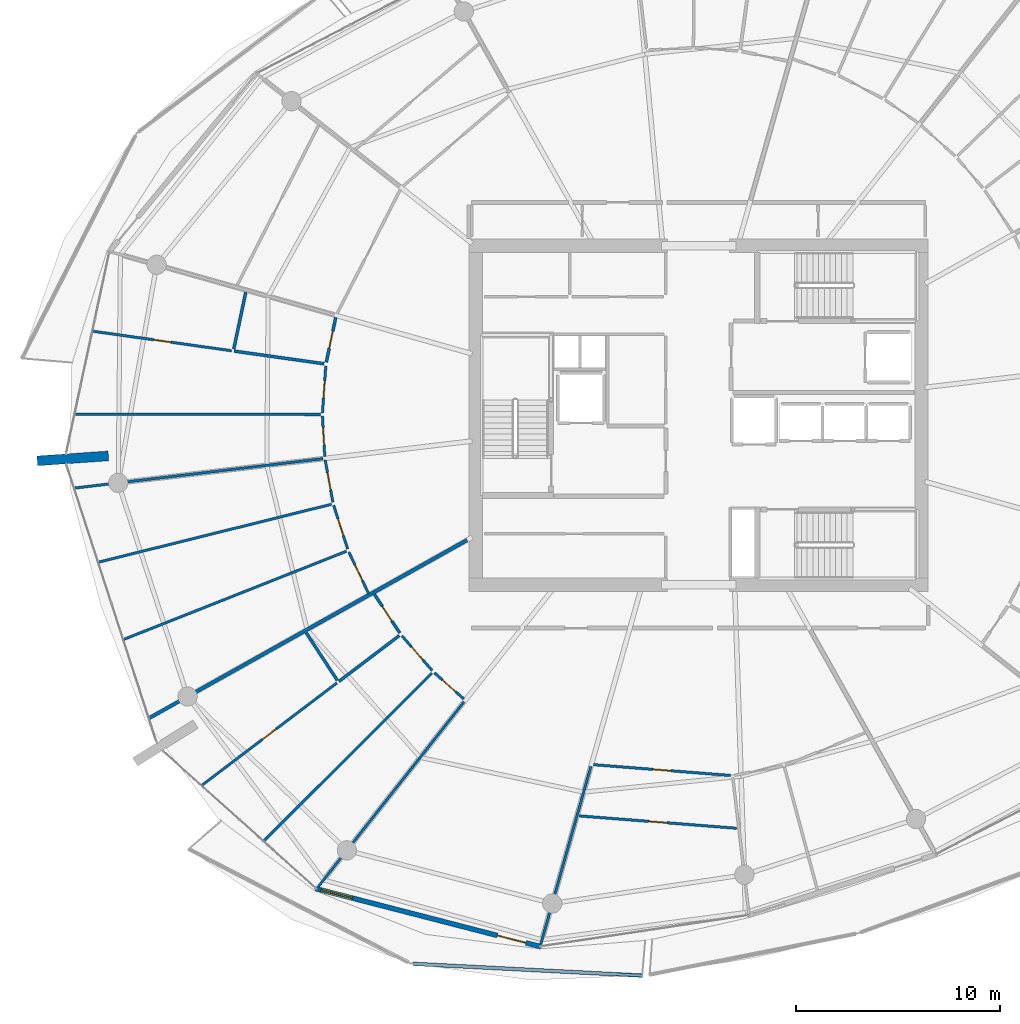
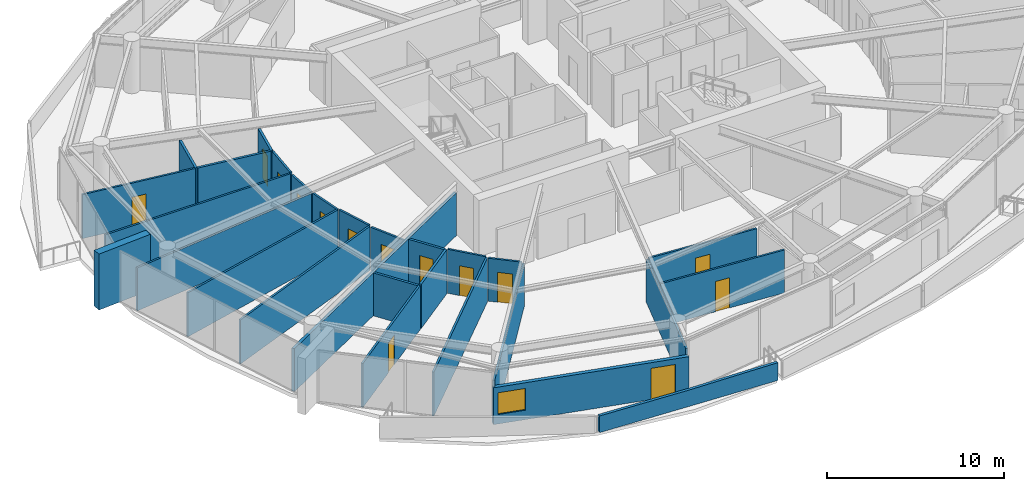
# One storey, part 17 of 30: 28 walls, 14 doors, 1 window, 15 openings.
"""IFC4 building model written with IfcOpenShell, lengths in metres."""

from ifc_helpers import new_model, si_unit, direction, frame, frame_2d, origin, place, context, subcontext, project, spatial, polyline, rectangle, outline, extrude, material, layer, layer_set, type_object, element, fill, save


model = new_model("IFC4")

# Units and contexts
model_context = context("Model", 3, precision=1e-05, world=origin(), true_north=direction((0.0, 1.0)))
body_context = subcontext(model_context, "Body", "Model", "MODEL_VIEW")
ifc_project = project(units=[si_unit("LENGTHUNIT", "METRE"), si_unit("AREAUNIT", "SQUARE_METRE"), si_unit("VOLUMEUNIT", "CUBIC_METRE"), si_unit("PLANEANGLEUNIT", "RADIAN"), si_unit("MASSUNIT", "GRAM", prefix="KILO")], contexts=[model_context])

# Site, building, storey
site_placement = place(None, origin())
site = spatial("IfcSite", under=ifc_project, at=site_placement, CompositionType="ELEMENT")
building_placement = place(site_placement, origin())
building = spatial("IfcBuilding", under=site, at=building_placement, Name="Kazma Halo Residences", CompositionType="ELEMENT")
storey_placement = place(building_placement, frame((0.0, 0.0, 255.949951171875)))
storey = spatial("IfcBuildingStorey", under=building, at=storey_placement, Name="L64", CompositionType="ELEMENT", Elevation=255.949951171875)

# Walls
ifc_material_1 = material(Name="White Concrete C50/60 Balustrade", Category="concrete")
ifc_layer_1 = layer(ifc_material_1, 0.179931640625)
ifc_layer_set_1 = layer_set([ifc_layer_1], Name="White Concrete C50/60 Balustrade")
wall_type_1 = type_object("IfcWallType", Name="WL-BAL-WAVE-180", PredefinedType="PARAPET", material=ifc_layer_set_1)
wall_1_placement = place(storey_placement, frame((34.394775390625, 15.056884765625, 0.0), z_axis=(0.0, 0.0, 1.0), x_axis=(0.998675719667, -0.051447127692, 0.0)))
element("IfcWall", 1, at=wall_1_placement, inside=storey, type_object=wall_type_1, Name="L64 white wave balustrade wall SW.2", PredefinedType="PARAPET", context=body_context, shape_type="SweptSolid", body=[
    extrude(outline(polyline([(0.0, 0.0), (11.28466796875, 0.0), (11.284912109375, 1.22412109375), (5.642333984375, 1.126953125), (0.0, 1.14794921875), (0.0, 0.0)])), frame((0.0, 0.08984375, 0.0), z_axis=(0.0, -1.0, 0.0), x_axis=(1.0, 0.0, 0.0)), (0.0, 0.0, 1.0), 0.179931640625),
])
ifc_material_2 = material(Name="Pale Concrete C60/75", Category="concrete")
ifc_layer_2 = layer(ifc_material_2, 0.47998046875)
ifc_layer_set_2 = layer_set([ifc_layer_2], Name="Pale Concrete C60/75")
wall_type_2 = type_object("IfcWallType", Name="WL-BLADE-480", PredefinedType="SOLIDWALL", material=ifc_layer_set_2)
wall_2_placement = place(storey_placement, frame((19.4375, 40.002685546875, 0.0), z_axis=(0.0, 0.0, 1.0), x_axis=(-0.997563824095, -0.069759707979, 0.0)))
element("IfcWall", 2, at=wall_2_placement, inside=storey, type_object=wall_type_2, Name="L64 pale concrete structural blade fin wall BW-02", PredefinedType="SOLIDWALL", context=body_context, shape_type="SweptSolid", body=[
    extrude(rectangle(XDim=3.499755859375, YDim=0.47998046875, at=frame_2d((1.75, 0.0))), origin(), (0.0, 0.0, 1.0), 3.85009765625),
])
ifc_material_3 = material(Name="Acoustic Twin-Stud Gypsum")
ifc_layer_3 = layer(ifc_material_3, 0.179931640625)
ifc_layer_set_3 = layer_set([ifc_layer_3], Name="Acoustic Twin-Stud Gypsum")
wall_type_3 = type_object("IfcWallType", Name="WL-DEM-180", PredefinedType="PARTITIONING", material=ifc_layer_set_3)
wall_3_placement = place(storey_placement, frame((37.053955078125, 35.8701171875, 0.0), z_axis=(0.0, 0.0, 1.0), x_axis=(-0.872490186067, -0.488631635506, 0.0)))
element("IfcWall", 3, at=wall_3_placement, inside=storey, type_object=wall_type_3, Name="L64 apartment demising radial wall 08", PredefinedType="PARTITIONING", context=body_context, shape_type="SweptSolid", body=[
    extrude(rectangle(XDim=17.88427734375, YDim=0.179931640625, at=frame_2d((8.942138671875, 0.0))), origin(), (0.0, 0.0, 1.0), 2.95703125),
])

# Wall, openings, door, window
ifc_material_4 = material(Name="Insulated Pale-Metal Composite Wall")
ifc_layer_4 = layer(ifc_material_4, 0.239990234375)
ifc_layer_set_4 = layer_set([ifc_layer_4], Name="Insulated Pale-Metal Composite Wall")
wall_type_4 = type_object("IfcWallType", Name="WL-EXT-HOST-240", PredefinedType="SOLIDWALL", material=ifc_layer_set_4)
wall_4_placement = place(storey_placement, frame((29.613525390625, 18.7509765625, 0.0), z_axis=(0.0, 0.0, 1.0), x_axis=(0.968343758421, -0.249620442927, 0.0)))
wall_4 = element("IfcWall", 4, at=wall_4_placement, inside=storey, type_object=wall_type_4, Name="L64 exterior terrace-access wall B10", PredefinedType="SOLIDWALL", context=body_context, shape_type="SweptSolid", body=[
    extrude(rectangle(XDim=11.438232421875, YDim=0.239990234375, at=frame_2d((5.71923828125, 0.0))), origin(), (0.0, 0.0, 1.0), 2.5400390625),
])
opening_1_placement = place(wall_4_placement, frame((9.21826171875, 0.0, 0.0)))
opening_1 = element("IfcOpeningElement", 5, at=opening_1_placement, cuts=wall_4, Name="Opening DTR-1600", PredefinedType="OPENING", context=body_context, shape_type="SweptSolid", body=[
    extrude(rectangle(XDim=1.449951171875, YDim=2.14990234375, at=frame_2d((0.72509765625, 1.074951171875))), frame((0.0, 0.1298828125, 0.0), z_axis=(0.0, -1.0, 0.0), x_axis=(1.0, 0.0, 0.0)), (0.0, 0.0, 1.0), 0.260009765625),
])
opening_2_placement = place(wall_4_placement, frame((0.280029296875, 0.0, 0.64990234375)))
opening_2 = element("IfcOpeningElement", 6, at=opening_2_placement, cuts=wall_4, Name="Opening W-1800", PredefinedType="OPENING", context=body_context, shape_type="SweptSolid", body=[
    extrude(rectangle(XDim=1.60009765625, YDim=1.5, at=frame_2d((0.800048828125, 0.75))), frame((0.0, 0.1298828125, 0.0), z_axis=(0.0, -1.0, 0.0), x_axis=(1.0, 0.0, 0.0)), (0.0, 0.0, 1.0), 0.260009765625),
])
ifc_material_5 = material(Name="Aluminium AW-6063 T6 Double-Glazed Terrace Door", Category="aluminium")
door_type_1 = type_object("IfcDoorType", Name="DR-EXT-TERR-1600", OperationType="NOTDEFINED", PredefinedType="DOOR", material=ifc_material_5)
door_1_placement = place(opening_1_placement, origin())
door_1 = element("IfcDoor", 7, at=door_1_placement, inside=storey, type_object=door_type_1, Name="L64 B10 balcony terrace door", OperationType="DOUBLE_DOOR_SLIDING", OverallHeight=2.14990234375, OverallWidth=1.449951171875, PredefinedType="DOOR", context=body_context, shape_type="SweptSolid", body=[
    extrude(rectangle(XDim=1.449951171875, YDim=2.14990234375, at=frame_2d((0.72509765625, 1.074951171875))), frame((0.0, 0.02490234375, 0.0), z_axis=(0.0, -1.0, 0.0), x_axis=(1.0, 0.0, 0.0)), (0.0, 0.0, 1.0), 0.050048828125),
])
fill(opening_1, door_1)
ifc_material_6 = material(Name="Clear Triple-Silver Low-E Glass in Aluminium AW-6063 T6 Frame", Category="aluminium")
window_type = type_object("IfcWindowType", Name="WIN-RES-1800", PartitioningType="DOUBLE_PANEL_VERTICAL", PredefinedType="WINDOW", material=ifc_material_6)
window_placement = place(opening_2_placement, origin())
window = element("IfcWindow", 8, at=window_placement, inside=storey, type_object=window_type, Name="L64 B10 apartment window", OverallHeight=1.5, OverallWidth=1.60009765625, PartitioningType="SINGLE_PANEL", PredefinedType="WINDOW", context=body_context, shape_type="SweptSolid", body=[
    extrude(rectangle(XDim=1.60009765625, YDim=1.5, at=frame_2d((0.800048828125, 0.75))), frame((0.0, 0.030029296875, 0.0), z_axis=(0.0, -1.0, 0.0), x_axis=(1.0, 0.0, 0.0)), (0.0, 0.0, 1.0), 0.06005859375),
])
fill(opening_2, window)

# Wall, opening, door
ifc_material_7 = material(Name="Gypsum Plasterboard Partition")
ifc_layer_5 = layer(ifc_material_7, 0.125)
ifc_layer_set_5 = layer_set([ifc_layer_5], Name="Gypsum Plasterboard Partition")
wall_type_5 = type_object("IfcWallType", Name="WL-PART-125", PredefinedType="PARTITIONING", material=ifc_layer_set_5)
wall_5_placement = place(storey_placement, frame((25.48779296875, 45.167724609375, 0.0), z_axis=(0.0, 0.0, 1.0), x_axis=(-0.990239896804, 0.139373407717, 0.0)))
wall_5 = element("IfcWall", 9, at=wall_5_placement, inside=storey, type_object=wall_type_5, Name="L64 Apartment 1 Outer Walk-In Wardrobe partition wall", PredefinedType="PARTITIONING", context=body_context, shape_type="SweptSolid", body=[
    extrude(rectangle(XDim=6.877197265625, YDim=0.125, at=frame_2d((3.4384765625, 0.0))), origin(), (0.0, 0.0, 1.0), 3.030029296875),
])
opening_3_placement = place(wall_5_placement, frame((3.013671875, 0.0, 0.0)))
opening_3 = element("IfcOpeningElement", 10, at=opening_3_placement, cuts=wall_5, Name="Opening DB-900", PredefinedType="OPENING", context=body_context, shape_type="SweptSolid", body=[
    extrude(rectangle(XDim=0.85009765625, YDim=2.06005859375, at=frame_2d((0.425048828125, 1.030029296875))), frame((0.0, 0.072509765625, 0.0), z_axis=(0.0, -1.0, 0.0), x_axis=(1.0, 0.0, 0.0)), (0.0, 0.0, 1.0), 0.14501953125),
])
ifc_material_8 = material(Name="Moisture-Sealed Timber Leaf", Category="wood")
door_type_2 = type_object("IfcDoorType", Name="DR-BTH-900", OperationType="NOTDEFINED", PredefinedType="DOOR", material=ifc_material_8)
door_2_placement = place(opening_3_placement, origin())
door_2 = element("IfcDoor", 11, at=door_2_placement, inside=storey, type_object=door_type_2, Name="L64 Apartment 1 Outer Walk-In Wardrobe door", OperationType="SINGLE_SWING_RIGHT", OverallHeight=2.06005859375, OverallWidth=0.85009765625, PredefinedType="DOOR", context=body_context, shape_type="SweptSolid", body=[
    extrude(rectangle(XDim=0.85009765625, YDim=2.06005859375, at=frame_2d((0.425048828125, 1.030029296875))), frame((0.0, 0.02490234375, 0.0), z_axis=(0.0, -1.0, 0.0), x_axis=(1.0, 0.0, 0.0)), (0.0, 0.0, 1.0), 0.050048828125),
])
fill(opening_3, door_2)

# Wall
wall_6_placement = place(storey_placement, frame((29.85595703125, 42.035888671875, 0.0), z_axis=(0.0, 0.0, 1.0), x_axis=(-0.999998028993, 0.001985449601, 0.0)))
element("IfcWall", 12, at=wall_6_placement, inside=storey, type_object=wall_type_5, Name="L64 Apartment 1 suite divider 6", PredefinedType="PARTITIONING", context=body_context, shape_type="SweptSolid", body=[
    extrude(rectangle(XDim=12.050537109375, YDim=0.125, at=frame_2d((6.025390625, 0.0))), origin(), (0.0, 0.0, 1.0), 3.030029296875),
])

# Wall, opening, door
wall_7_placement = place(storey_placement, frame((30.11572265625, 44.426025390625, 0.0), z_axis=(0.0, 0.0, 1.0), x_axis=(-0.07082759095, -0.997488572546, 0.0)))
wall_7 = element("IfcWall", 13, at=wall_7_placement, inside=storey, type_object=wall_type_5, Name="L64 Apartment 1 Corner Formal Dining Room hall wall", PredefinedType="PARTITIONING", context=body_context, shape_type="SweptSolid", body=[
    extrude(rectangle(XDim=2.31640625, YDim=0.125, at=frame_2d((1.158203125, 0.0))), origin(), (0.0, 0.0, 1.0), 3.030029296875),
])
opening_4_placement = place(wall_7_placement, frame((0.733154296875, 0.0, 0.0)))
opening_4 = element("IfcOpeningElement", 14, at=opening_4_placement, cuts=wall_7, Name="Opening DB-900", PredefinedType="OPENING", context=body_context, shape_type="SweptSolid", body=[
    extrude(rectangle(XDim=0.85009765625, YDim=2.06005859375, at=frame_2d((0.425048828125, 1.030029296875))), frame((0.0, 0.072509765625, 0.0), z_axis=(0.0, -1.0, 0.0), x_axis=(1.0, 0.0, 0.0)), (0.0, 0.0, 1.0), 0.14501953125),
])
door_3_placement = place(opening_4_placement, origin())
door_3 = element("IfcDoor", 15, at=door_3_placement, inside=storey, type_object=door_type_2, Name="L64 Apartment 1 Corner Formal Dining Room door", OperationType="SINGLE_SWING_LEFT", OverallHeight=2.06005859375, OverallWidth=0.85009765625, PredefinedType="DOOR", context=body_context, shape_type="SweptSolid", body=[
    extrude(rectangle(XDim=0.85009765625, YDim=2.06005859375, at=frame_2d((0.425048828125, 1.030029296875))), frame((0.0, 0.02490234375, 0.0), z_axis=(0.0, -1.0, 0.0), x_axis=(1.0, 0.0, 0.0)), (0.0, 0.0, 1.0), 0.050048828125),
])
fill(opening_4, door_3)

wall_8_placement = place(storey_placement, frame((29.95068359375, 41.955810546875, 0.0), z_axis=(0.0, 0.0, 1.0), x_axis=(0.057790197943, -0.998328749973, 0.0)))
wall_8 = element("IfcWall", 16, at=wall_8_placement, inside=storey, type_object=wall_type_5, Name="L64 Apartment 1 Garden Master Bedroom hall wall", PredefinedType="PARTITIONING", context=body_context, shape_type="SweptSolid", body=[
    extrude(rectangle(XDim=1.9814453125, YDim=0.125, at=frame_2d((0.99072265625, 0.0))), origin(), (0.0, 0.0, 1.0), 2.95703125),
])
opening_5_placement = place(wall_8_placement, frame((0.565673828125, 0.0, 0.0)))
opening_5 = element("IfcOpeningElement", 17, at=opening_5_placement, cuts=wall_8, Name="Opening DB-900", PredefinedType="OPENING", context=body_context, shape_type="SweptSolid", body=[
    extrude(rectangle(XDim=0.85009765625, YDim=2.06005859375, at=frame_2d((0.425048828125, 1.030029296875))), frame((0.0, 0.072509765625, 0.0), z_axis=(0.0, -1.0, 0.0), x_axis=(1.0, 0.0, 0.0)), (0.0, 0.0, 1.0), 0.14501953125),
])
door_4_placement = place(opening_5_placement, origin())
door_4 = element("IfcDoor", 18, at=door_4_placement, inside=storey, type_object=door_type_2, Name="L64 Apartment 1 Garden Master Bedroom door", OperationType="SINGLE_SWING_RIGHT", OverallHeight=2.06005859375, OverallWidth=0.85009765625, PredefinedType="DOOR", context=body_context, shape_type="SweptSolid", body=[
    extrude(rectangle(XDim=0.85009765625, YDim=2.06005859375, at=frame_2d((0.425048828125, 1.030029296875))), frame((0.0, 0.02490234375, 0.0), z_axis=(0.0, -1.0, 0.0), x_axis=(1.0, 0.0, 0.0)), (0.0, 0.0, 1.0), 0.050048828125),
])
fill(opening_5, door_4)

# Walls
wall_9_placement = place(storey_placement, frame((29.9716796875, 39.8662109375, 0.0), z_axis=(0.0, 0.0, 1.0), x_axis=(-0.993068089356, -0.117540503246, 0.0)))
element("IfcWall", 19, at=wall_9_placement, inside=storey, type_object=wall_type_5, Name="L64 Apartment 1 radial partition 7", PredefinedType="PARTITIONING", context=body_context, shape_type="SweptSolid", body=[
    extrude(rectangle(XDim=12.275634765625, YDim=0.125, at=frame_2d((6.1376953125, 0.0))), origin(), (0.0, 0.0, 1.0), 2.95703125),
])
wall_10_placement = place(storey_placement, frame((30.39111328125, 37.6259765625, 0.0), z_axis=(0.0, 0.0, 1.0), x_axis=(-0.970503640625, -0.24108646485, 0.0)))
element("IfcWall", 20, at=wall_10_placement, inside=storey, type_object=wall_type_5, Name="L64 Apartment 1 bay wall 1 7", PredefinedType="PARTITIONING", context=body_context, shape_type="SweptSolid", body=[
    extrude(rectangle(XDim=11.775390625, YDim=0.125, at=frame_2d((5.8876953125, 0.0))), origin(), (0.0, 0.0, 1.0), 3.030029296875),
])
wall_11_placement = place(storey_placement, frame((31.130126953125, 35.32080078125, 0.0), z_axis=(0.0, 0.0, 1.0), x_axis=(-0.929773898428, -0.368131087796, 0.0)))
element("IfcWall", 21, at=wall_11_placement, inside=storey, type_object=wall_type_5, Name="L64 Apartment 1 bay wall 2 7", PredefinedType="PARTITIONING", context=body_context, shape_type="SweptSolid", body=[
    extrude(rectangle(XDim=11.759765625, YDim=0.125, at=frame_2d((5.8798828125, 0.0))), origin(), (0.0, 0.0, 1.0), 3.030029296875),
])

# Wall, opening, door
wall_12_placement = place(storey_placement, frame((30.08544921875, 39.79931640625, 0.0), z_axis=(0.0, 0.0, 1.0), x_axis=(0.179690800857, -0.983723139957, 0.0)))
wall_12 = element("IfcWall", 22, at=wall_12_placement, inside=storey, type_object=wall_type_5, Name="L64 Apartment 1 Primary Master Bedroom hall wall", PredefinedType="PARTITIONING", context=body_context, shape_type="SweptSolid", body=[
    extrude(rectangle(XDim=2.107177734375, YDim=0.125, at=frame_2d((1.0537109375, 0.0))), origin(), (0.0, 0.0, 1.0), 2.95703125),
])
opening_6_placement = place(wall_12_placement, frame((0.628662109375, 0.0, 0.0)))
opening_6 = element("IfcOpeningElement", 23, at=opening_6_placement, cuts=wall_12, Name="Opening DB-900", PredefinedType="OPENING", context=body_context, shape_type="SweptSolid", body=[
    extrude(rectangle(XDim=0.85009765625, YDim=2.06005859375, at=frame_2d((0.425048828125, 1.030029296875))), frame((0.0, 0.072509765625, 0.0), z_axis=(0.0, -1.0, 0.0), x_axis=(1.0, 0.0, 0.0)), (0.0, 0.0, 1.0), 0.14501953125),
])
door_5_placement = place(opening_6_placement, origin())
door_5 = element("IfcDoor", 24, at=door_5_placement, inside=storey, type_object=door_type_2, Name="L64 Apartment 1 Primary Master Bedroom door", OperationType="SINGLE_SWING_LEFT", OverallHeight=2.06005859375, OverallWidth=0.85009765625, PredefinedType="DOOR", context=body_context, shape_type="SweptSolid", body=[
    extrude(rectangle(XDim=0.85009765625, YDim=2.06005859375, at=frame_2d((0.425048828125, 1.030029296875))), frame((0.0, 0.02490234375, 0.0), z_axis=(0.0, -1.0, 0.0), x_axis=(1.0, 0.0, 0.0)), (0.0, 0.0, 1.0), 0.050048828125),
])
fill(opening_6, door_5)

wall_13_placement = place(storey_placement, frame((30.5029296875, 37.5712890625, 0.0), z_axis=(0.0, 0.0, 1.0), x_axis=(0.305327243998, -0.952247485727, 0.0)))
wall_13 = element("IfcWall", 25, at=wall_13_placement, inside=storey, type_object=wall_type_5, Name="L64 Apartment 1 Secondary Dressing Wardrobe hall wall", PredefinedType="PARTITIONING", context=body_context, shape_type="SweptSolid", body=[
    extrude(rectangle(XDim=2.24853515625, YDim=0.125, at=frame_2d((1.124267578125, 0.0))), origin(), (0.0, 0.0, 1.0), 3.030029296875),
])
opening_7_placement = place(wall_13_placement, frame((0.69921875, 0.0, 0.0)))
opening_7 = element("IfcOpeningElement", 26, at=opening_7_placement, cuts=wall_13, Name="Opening DB-900", PredefinedType="OPENING", context=body_context, shape_type="SweptSolid", body=[
    extrude(rectangle(XDim=0.85009765625, YDim=2.06005859375, at=frame_2d((0.425048828125, 1.030029296875))), frame((0.0, 0.072509765625, 0.0), z_axis=(0.0, -1.0, 0.0), x_axis=(1.0, 0.0, 0.0)), (0.0, 0.0, 1.0), 0.14501953125),
])
door_6_placement = place(opening_7_placement, origin())
door_6 = element("IfcDoor", 27, at=door_6_placement, inside=storey, type_object=door_type_2, Name="L64 Apartment 1 Secondary Dressing Wardrobe door", OperationType="SINGLE_SWING_RIGHT", OverallHeight=2.06005859375, OverallWidth=0.85009765625, PredefinedType="DOOR", context=body_context, shape_type="SweptSolid", body=[
    extrude(rectangle(XDim=0.85009765625, YDim=2.06005859375, at=frame_2d((0.425048828125, 1.030029296875))), frame((0.0, 0.02490234375, 0.0), z_axis=(0.0, -1.0, 0.0), x_axis=(1.0, 0.0, 0.0)), (0.0, 0.0, 1.0), 0.050048828125),
])
fill(opening_7, door_6)

wall_14_placement = place(storey_placement, frame((31.248046875, 35.281494140625, 0.0), z_axis=(0.0, 0.0, 1.0), x_axis=(0.429406696771, -0.903111227241, 0.0)))
wall_14 = element("IfcWall", 28, at=wall_14_placement, inside=storey, type_object=wall_type_5, Name="L64 Apartment 1 East Master Bedroom hall wall", PredefinedType="PARTITIONING", context=body_context, shape_type="SweptSolid", body=[
    extrude(rectangle(XDim=2.24853515625, YDim=0.125, at=frame_2d((1.124267578125, 0.0))), origin(), (0.0, 0.0, 1.0), 2.95703125),
])
opening_8_placement = place(wall_14_placement, frame((0.699462890625, 0.0, 0.0)))
opening_8 = element("IfcOpeningElement", 29, at=opening_8_placement, cuts=wall_14, Name="Opening DB-900", PredefinedType="OPENING", context=body_context, shape_type="SweptSolid", body=[
    extrude(rectangle(XDim=0.85009765625, YDim=2.06005859375, at=frame_2d((0.425048828125, 1.030029296875))), frame((0.0, 0.072509765625, 0.0), z_axis=(0.0, -1.0, 0.0), x_axis=(1.0, 0.0, 0.0)), (0.0, 0.0, 1.0), 0.14501953125),
])
door_7_placement = place(opening_8_placement, origin())
door_7 = element("IfcDoor", 30, at=door_7_placement, inside=storey, type_object=door_type_2, Name="L64 Apartment 1 East Master Bedroom door", OperationType="SINGLE_SWING_LEFT", OverallHeight=2.06005859375, OverallWidth=0.85009765625, PredefinedType="DOOR", context=body_context, shape_type="SweptSolid", body=[
    extrude(rectangle(XDim=0.85009765625, YDim=2.06005859375, at=frame_2d((0.425048828125, 1.030029296875))), frame((0.0, 0.02490234375, 0.0), z_axis=(0.0, -1.0, 0.0), x_axis=(1.0, 0.0, 0.0)), (0.0, 0.0, 1.0), 0.050048828125),
])
fill(opening_8, door_7)

# Wall
wall_15_placement = place(storey_placement, frame((36.9033203125, 27.924072265625, 0.0), z_axis=(0.0, 0.0, 1.0), x_axis=(-0.619090039254, -0.785320013304, 0.0)))
element("IfcWall", 31, at=wall_15_placement, inside=storey, type_object=wall_type_5, Name="L64 Apartment 2 living radial partition 8", PredefinedType="PARTITIONING", context=body_context, shape_type="SweptSolid", body=[
    extrude(rectangle(XDim=11.671630859375, YDim=0.125, at=frame_2d((5.8359375, 0.0))), origin(), (0.0, 0.0, 1.0), 2.95703125),
])

# Wall, opening, door
wall_16_placement = place(storey_placement, frame((30.657470703125, 28.8505859375, 0.0), z_axis=(0.0, 0.0, 1.0), x_axis=(-0.796843780875, -0.604185392807, 0.0)))
wall_16 = element("IfcWall", 32, at=wall_16_placement, inside=storey, type_object=wall_type_5, Name="L64 Apartment 2 Utility Laundry Room partition wall", PredefinedType="PARTITIONING", context=body_context, shape_type="SweptSolid", body=[
    extrude(rectangle(XDim=8.318115234375, YDim=0.125, at=frame_2d((4.1591796875, 0.0))), origin(), (0.0, 0.0, 1.0), 3.030029296875),
])
opening_9_placement = place(wall_16_placement, frame((3.734130859375, 0.0, 0.0)))
opening_9 = element("IfcOpeningElement", 33, at=opening_9_placement, cuts=wall_16, Name="Opening DB-900", PredefinedType="OPENING", context=body_context, shape_type="SweptSolid", body=[
    extrude(rectangle(XDim=0.85009765625, YDim=2.06005859375, at=frame_2d((0.425048828125, 1.030029296875))), frame((0.0, 0.072509765625, 0.0), z_axis=(0.0, -1.0, 0.0), x_axis=(1.0, 0.0, 0.0)), (0.0, 0.0, 1.0), 0.14501953125),
])
door_8_placement = place(opening_9_placement, origin())
door_8 = element("IfcDoor", 34, at=door_8_placement, inside=storey, type_object=door_type_2, Name="L64 Apartment 2 Utility Laundry Room door", OperationType="SINGLE_SWING_RIGHT", OverallHeight=2.06005859375, OverallWidth=0.85009765625, PredefinedType="DOOR", context=body_context, shape_type="SweptSolid", body=[
    extrude(rectangle(XDim=0.85009765625, YDim=2.06005859375, at=frame_2d((0.425048828125, 1.030029296875))), frame((0.0, 0.02490234375, 0.0), z_axis=(0.0, -1.0, 0.0), x_axis=(1.0, 0.0, 0.0)), (0.0, 0.0, 1.0), 0.050048828125),
])
fill(opening_9, door_8)

# Wall
wall_17_placement = place(storey_placement, frame((35.326416015625, 29.339599609375, 0.0), z_axis=(0.0, 0.0, 1.0), x_axis=(-0.707472916484, -0.706740456208, 0.0)))
element("IfcWall", 35, at=wall_17_placement, inside=storey, type_object=wall_type_5, Name="L64 Apartment 2 suite divider 8", PredefinedType="PARTITIONING", context=body_context, shape_type="SweptSolid", body=[
    extrude(rectangle(XDim=11.666015625, YDim=0.125, at=frame_2d((5.8330078125, 0.0))), origin(), (0.0, 0.0, 1.0), 3.030029296875),
])

# Wall, opening, door
wall_18_placement = place(storey_placement, frame((33.856201171875, 31.1630859375, 0.0), z_axis=(0.0, 0.0, 1.0), x_axis=(0.656985315096, -0.753903372952, 0.0)))
wall_18 = element("IfcWall", 36, at=wall_18_placement, inside=storey, type_object=wall_type_5, Name="L64 Apartment 2 Gourmet Kitchen hall wall", PredefinedType="PARTITIONING", context=body_context, shape_type="SweptSolid", body=[
    extrude(rectangle(XDim=2.254638671875, YDim=0.125, at=frame_2d((1.12744140625, 0.0))), origin(), (0.0, 0.0, 1.0), 3.030029296875),
])
opening_10_placement = place(wall_18_placement, frame((0.702392578125, 0.0, 0.0)))
opening_10 = element("IfcOpeningElement", 37, at=opening_10_placement, cuts=wall_18, Name="Opening DB-900", PredefinedType="OPENING", context=body_context, shape_type="SweptSolid", body=[
    extrude(rectangle(XDim=0.85009765625, YDim=2.06005859375, at=frame_2d((0.425048828125, 1.030029296875))), frame((0.0, 0.072509765625, 0.0), z_axis=(0.0, -1.0, 0.0), x_axis=(1.0, 0.0, 0.0)), (0.0, 0.0, 1.0), 0.14501953125),
])
door_9_placement = place(opening_10_placement, origin())
door_9 = element("IfcDoor", 38, at=door_9_placement, inside=storey, type_object=door_type_2, Name="L64 Apartment 2 Gourmet Kitchen door", OperationType="SINGLE_SWING_LEFT", OverallHeight=2.06005859375, OverallWidth=0.85009765625, PredefinedType="DOOR", context=body_context, shape_type="SweptSolid", body=[
    extrude(rectangle(XDim=0.85009765625, YDim=2.06005859375, at=frame_2d((0.425048828125, 1.030029296875))), frame((0.0, 0.02490234375, 0.0), z_axis=(0.0, -1.0, 0.0), x_axis=(1.0, 0.0, 0.0)), (0.0, 0.0, 1.0), 0.050048828125),
])
fill(opening_10, door_9)

wall_19_placement = place(storey_placement, frame((35.44970703125, 29.349853515625, 0.0), z_axis=(0.0, 0.0, 1.0), x_axis=(0.747360411924, -0.664418854857, 0.0)))
wall_19 = element("IfcWall", 39, at=wall_19_placement, inside=storey, type_object=wall_type_5, Name="L64 Apartment 2 Primary Bedroom hall wall", PredefinedType="PARTITIONING", context=body_context, shape_type="SweptSolid", body=[
    extrude(rectangle(XDim=1.927978515625, YDim=0.125, at=frame_2d((0.9638671875, 0.0))), origin(), (0.0, 0.0, 1.0), 2.95703125),
])
opening_11_placement = place(wall_19_placement, frame((0.5390625, 0.0, 0.0)))
opening_11 = element("IfcOpeningElement", 40, at=opening_11_placement, cuts=wall_19, Name="Opening DB-900", PredefinedType="OPENING", context=body_context, shape_type="SweptSolid", body=[
    extrude(rectangle(XDim=0.85009765625, YDim=2.06005859375, at=frame_2d((0.425048828125, 1.030029296875))), frame((0.0, 0.072509765625, 0.0), z_axis=(0.0, -1.0, 0.0), x_axis=(1.0, 0.0, 0.0)), (0.0, 0.0, 1.0), 0.14501953125),
])
door_10_placement = place(opening_11_placement, origin())
door_10 = element("IfcDoor", 41, at=door_10_placement, inside=storey, type_object=door_type_2, Name="L64 Apartment 2 Primary Bedroom door", OperationType="SINGLE_SWING_RIGHT", OverallHeight=2.06005859375, OverallWidth=0.85009765625, PredefinedType="DOOR", context=body_context, shape_type="SweptSolid", body=[
    extrude(rectangle(XDim=0.85009765625, YDim=2.06005859375, at=frame_2d((0.425048828125, 1.030029296875))), frame((0.0, 0.02490234375, 0.0), z_axis=(0.0, -1.0, 0.0), x_axis=(1.0, 0.0, 0.0)), (0.0, 0.0, 1.0), 0.050048828125),
])
fill(opening_11, door_10)

# Wall
wall_20_placement = place(storey_placement, frame((43.134765625, 24.7490234375, 0.0), z_axis=(0.0, 0.0, 1.0), x_axis=(-0.271445445258, -0.962453827593, 0.0)))
element("IfcWall", 42, at=wall_20_placement, inside=storey, type_object=wall_type_5, Name="L64 Apartment 2 radial partition 10", PredefinedType="PARTITIONING", context=body_context, shape_type="SweptSolid", body=[
    extrude(rectangle(XDim=9.060546875, YDim=0.125, at=frame_2d((4.5302734375, 0.0))), origin(), (0.0, 0.0, 1.0), 2.95703125),
])

# Wall, opening, door
wall_21_placement = place(storey_placement, frame((43.271484375, 24.836669921875, 0.0), z_axis=(0.0, 0.0, 1.0), x_axis=(0.996915339886, -0.078484425849, 0.0)))
wall_21 = element("IfcWall", 43, at=wall_21_placement, inside=storey, type_object=wall_type_5, Name="L64 Apartment 2 East Study hall wall", PredefinedType="PARTITIONING", context=body_context, shape_type="SweptSolid", body=[
    extrude(rectangle(XDim=6.734619140625, YDim=0.125, at=frame_2d((3.3671875, 0.0))), origin(), (0.0, 0.0, 1.0), 2.95703125),
])
opening_12_placement = place(wall_21_placement, frame((2.917236328125, 0.0, 0.0)))
opening_12 = element("IfcOpeningElement", 44, at=opening_12_placement, cuts=wall_21, Name="Opening DI-950", PredefinedType="OPENING", context=body_context, shape_type="SweptSolid", body=[
    extrude(rectangle(XDim=0.89990234375, YDim=2.080078125, at=frame_2d((0.449951171875, 1.0400390625))), frame((0.0, 0.072509765625, 0.0), z_axis=(0.0, -1.0, 0.0), x_axis=(1.0, 0.0, 0.0)), (0.0, 0.0, 1.0), 0.14501953125),
])
ifc_material_9 = material(Name="Timber Veneer Flush Leaf", Category="wood")
door_type_3 = type_object("IfcDoorType", Name="DR-INT-950", OperationType="NOTDEFINED", PredefinedType="DOOR", material=ifc_material_9)
door_11_placement = place(opening_12_placement, origin())
door_11 = element("IfcDoor", 45, at=door_11_placement, inside=storey, type_object=door_type_3, Name="L64 Apartment 2 East Study door", OperationType="SINGLE_SWING_LEFT", OverallHeight=2.080078125, OverallWidth=0.89990234375, PredefinedType="DOOR", context=body_context, shape_type="SweptSolid", body=[
    extrude(rectangle(XDim=0.89990234375, YDim=2.080078125, at=frame_2d((0.449951171875, 1.0400390625))), frame((0.0, 0.02490234375, 0.0), z_axis=(0.0, -1.0, 0.0), x_axis=(1.0, 0.0, 0.0)), (0.0, 0.0, 1.0), 0.050048828125),
])
fill(opening_12, door_11)

wall_22_placement = place(storey_placement, frame((42.5625, 22.32275390625, 0.0), z_axis=(0.0, 0.0, 1.0), x_axis=(0.996916778928, -0.078466144881, 0.0)))
wall_22 = element("IfcWall", 46, at=wall_22_placement, inside=storey, type_object=wall_type_5, Name="L64 Apartment 2 West Master Bedroom divider wall", PredefinedType="PARTITIONING", context=body_context, shape_type="SweptSolid", body=[
    extrude(rectangle(XDim=7.753662109375, YDim=0.125, at=frame_2d((3.876953125, 0.0))), origin(), (0.0, 0.0, 1.0), 2.95703125),
])
opening_13_placement = place(wall_22_placement, frame((3.427001953125, 0.0, 0.0)))
opening_13 = element("IfcOpeningElement", 47, at=opening_13_placement, cuts=wall_22, Name="Opening DI-950", PredefinedType="OPENING", context=body_context, shape_type="SweptSolid", body=[
    extrude(rectangle(XDim=0.89990234375, YDim=2.080078125, at=frame_2d((0.449951171875, 1.0400390625))), frame((0.0, 0.072509765625, 0.0), z_axis=(0.0, -1.0, 0.0), x_axis=(1.0, 0.0, 0.0)), (0.0, 0.0, 1.0), 0.14501953125),
])
door_12_placement = place(opening_13_placement, origin())
door_12 = element("IfcDoor", 48, at=door_12_placement, inside=storey, type_object=door_type_3, Name="L64 Apartment 2 West Master Bedroom door", OperationType="SINGLE_SWING_RIGHT", OverallHeight=2.080078125, OverallWidth=0.89990234375, PredefinedType="DOOR", context=body_context, shape_type="SweptSolid", body=[
    extrude(rectangle(XDim=0.89990234375, YDim=2.080078125, at=frame_2d((0.449951171875, 1.0400390625))), frame((0.0, 0.02490234375, 0.0), z_axis=(0.0, -1.0, 0.0), x_axis=(1.0, 0.0, 0.0)), (0.0, 0.0, 1.0), 0.050048828125),
])
fill(opening_13, door_12)

ifc_material_10 = material(Name="Moisture-Resistant Gypsum")
ifc_layer_6 = layer(ifc_material_10, 0.14990234375)
ifc_layer_set_6 = layer_set([ifc_layer_6], Name="Moisture-Resistant Gypsum")
wall_type_6 = type_object("IfcWallType", Name="WL-WET-150", PredefinedType="PARTITIONING", material=ifc_layer_set_6)
wall_23_placement = place(storey_placement, frame((30.603271484375, 46.802734375, 0.0), z_axis=(0.0, 0.0, 1.0), x_axis=(-0.205906433606, -0.978571683935, 0.0)))
wall_23 = element("IfcWall", 49, at=wall_23_placement, inside=storey, type_object=wall_type_6, Name="L64 Apartment 1 Inner En-Suite Bathroom hall wall", PredefinedType="PARTITIONING", context=body_context, shape_type="SweptSolid", body=[
    extrude(rectangle(XDim=2.246826171875, YDim=0.14990234375, at=frame_2d((1.12353515625, 0.0))), origin(), (0.0, 0.0, 1.0), 2.95703125),
])
opening_14_placement = place(wall_23_placement, frame((0.698486328125, 0.0, 0.0)))
opening_14 = element("IfcOpeningElement", 50, at=opening_14_placement, cuts=wall_23, Name="Opening DB-900", PredefinedType="OPENING", context=body_context, shape_type="SweptSolid", body=[
    extrude(rectangle(XDim=0.85009765625, YDim=2.06005859375, at=frame_2d((0.425048828125, 1.030029296875))), frame((0.0, 0.0849609375, 0.0), z_axis=(0.0, -1.0, 0.0), x_axis=(1.0, 0.0, 0.0)), (0.0, 0.0, 1.0), 0.169921875),
])
door_13_placement = place(opening_14_placement, origin())
door_13 = element("IfcDoor", 51, at=door_13_placement, inside=storey, type_object=door_type_2, Name="L64 Apartment 1 Inner En-Suite Bathroom door", OperationType="SINGLE_SWING_LEFT", OverallHeight=2.06005859375, OverallWidth=0.85009765625, PredefinedType="DOOR", context=body_context, shape_type="SweptSolid", body=[
    extrude(rectangle(XDim=0.85009765625, YDim=2.06005859375, at=frame_2d((0.425048828125, 1.030029296875))), frame((0.0, 0.02490234375, 0.0), z_axis=(0.0, -1.0, 0.0), x_axis=(1.0, 0.0, 0.0)), (0.0, 0.0, 1.0), 0.050048828125),
])
fill(opening_14, door_13)

# Walls
wall_24_placement = place(storey_placement, frame((26.185546875, 48.048583984375, 0.0), z_axis=(0.0, 0.0, 1.0), x_axis=(-0.205851663269, -0.97858320685, 0.0)))
element("IfcWall", 52, at=wall_24_placement, inside=storey, type_object=wall_type_6, Name="L64 Apartment 1 Inner En-Suite Bathroom back wall", PredefinedType="PARTITIONING", context=body_context, shape_type="SweptSolid", body=[
    extrude(rectangle(XDim=2.866455078125, YDim=0.14990234375, at=frame_2d((1.43310546875, 0.0))), origin(), (0.0, 0.0, 1.0), 2.95703125),
])
wall_25_placement = place(storey_placement, frame((30.032958984375, 44.5283203125, 0.0), z_axis=(0.0, 0.0, 1.0), x_axis=(-0.990248320871, 0.139313542101, 0.0)))
element("IfcWall", 53, at=wall_25_placement, inside=storey, type_object=wall_type_6, Name="L64 Apartment 1 Inner En-Suite Bathroom side wall", PredefinedType="PARTITIONING", context=body_context, shape_type="SweptSolid", body=[
    extrude(rectangle(XDim=4.4599609375, YDim=0.14990234375, at=frame_2d((2.22998046875, 0.0))), origin(), (0.0, 0.0, 1.0), 3.030029296875),
])

# Wall, opening, door
wall_26_placement = place(storey_placement, frame((32.50341796875, 33.20703125, 0.0), z_axis=(0.0, 0.0, 1.0), x_axis=(0.54776176335, -0.836634358972, 0.0)))
wall_26 = element("IfcWall", 54, at=wall_26_placement, inside=storey, type_object=wall_type_6, Name="L64 Apartment 2 Guest Bathroom hall wall", PredefinedType="PARTITIONING", context=body_context, shape_type="SweptSolid", body=[
    extrude(rectangle(XDim=2.271728515625, YDim=0.14990234375, at=frame_2d((1.1357421875, 0.0))), origin(), (0.0, 0.0, 1.0), 2.95703125),
])
opening_15_placement = place(wall_26_placement, frame((0.7109375, 0.0, 0.0)))
opening_15 = element("IfcOpeningElement", 55, at=opening_15_placement, cuts=wall_26, Name="Opening DB-900", PredefinedType="OPENING", context=body_context, shape_type="SweptSolid", body=[
    extrude(rectangle(XDim=0.85009765625, YDim=2.06005859375, at=frame_2d((0.425048828125, 1.030029296875))), frame((0.0, 0.0849609375, 0.0), z_axis=(0.0, -1.0, 0.0), x_axis=(1.0, 0.0, 0.0)), (0.0, 0.0, 1.0), 0.169921875),
])
door_14_placement = place(opening_15_placement, origin())
door_14 = element("IfcDoor", 56, at=door_14_placement, inside=storey, type_object=door_type_2, Name="L64 Apartment 2 Guest Bathroom door", OperationType="SINGLE_SWING_LEFT", OverallHeight=2.06005859375, OverallWidth=0.85009765625, PredefinedType="DOOR", context=body_context, shape_type="SweptSolid", body=[
    extrude(rectangle(XDim=0.85009765625, YDim=2.06005859375, at=frame_2d((0.425048828125, 1.030029296875))), frame((0.0, 0.02490234375, 0.0), z_axis=(0.0, -1.0, 0.0), x_axis=(1.0, 0.0, 0.0)), (0.0, 0.0, 1.0), 0.050048828125),
])
fill(opening_15, door_14)

# Walls
wall_27_placement = place(storey_placement, frame((29.144287109375, 31.325927734375, 0.0), z_axis=(0.0, 0.0, 1.0), x_axis=(0.547727893033, -0.836656533587, 0.0)))
element("IfcWall", 57, at=wall_27_placement, inside=storey, type_object=wall_type_6, Name="L64 Apartment 2 Guest Bathroom back wall", PredefinedType="PARTITIONING", context=body_context, shape_type="SweptSolid", body=[
    extrude(rectangle(XDim=2.8037109375, YDim=0.14990234375, at=frame_2d((1.40185546875, 0.0))), origin(), (0.0, 0.0, 1.0), 2.95703125),
])
wall_28_placement = place(storey_placement, frame((33.725341796875, 31.1767578125, 0.0), z_axis=(0.0, 0.0, 1.0), x_axis=(-0.796854692537, -0.604171001441, 0.0)))
element("IfcWall", 58, at=wall_28_placement, inside=storey, type_object=wall_type_6, Name="L64 Apartment 2 Guest Bathroom side wall", PredefinedType="PARTITIONING", context=body_context, shape_type="SweptSolid", body=[
    extrude(rectangle(XDim=3.719970703125, YDim=0.14990234375, at=frame_2d((1.85986328125, 0.0))), origin(), (0.0, 0.0, 1.0), 3.030029296875),
])

save(model, "model.ifc")
